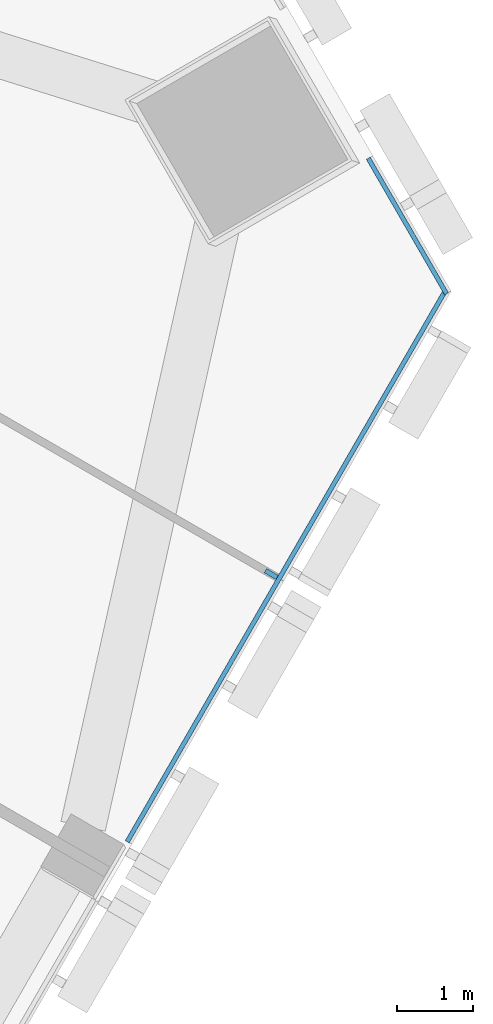
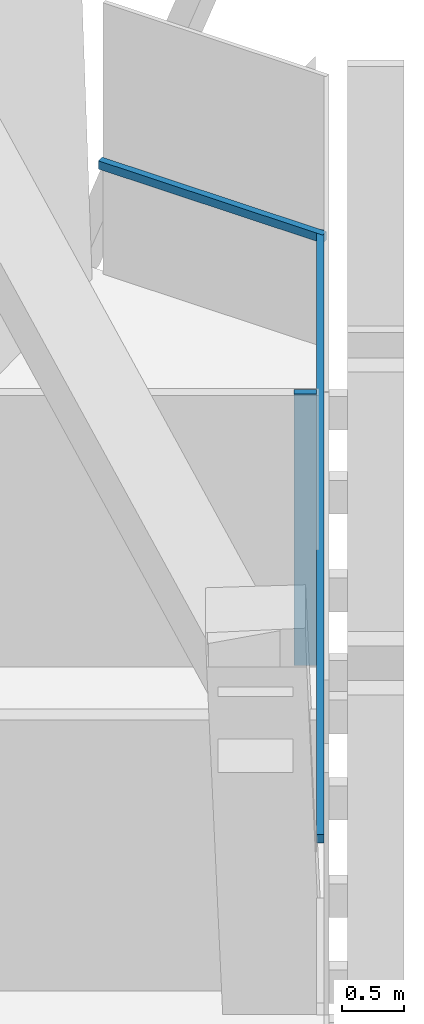
# One storey, part 7 of 16: 3 members, 2 elements without a shape of their own.
"""IFC4 building model written with IfcOpenShell, lengths in metres."""

from ifc_helpers import new_model, si_unit, direction, frame, origin, origin_2d, place, context, subcontext, project, spatial, rectangle, extrude, material, layer, layer_set, material_profile, profile_set, type_object, element, aggregate, save


model = new_model("IFC4")

# Units and contexts
model_context = context("Model", 3, precision=1e-05, world=origin(), true_north=direction((0.0, 1.0)))
body_context = subcontext(model_context, "Body", "Model", "MODEL_VIEW")
ifc_project = project(units=[si_unit("LENGTHUNIT", "METRE"), si_unit("AREAUNIT", "SQUARE_METRE"), si_unit("VOLUMEUNIT", "CUBIC_METRE"), si_unit("PLANEANGLEUNIT", "RADIAN"), si_unit("MASSUNIT", "GRAM", prefix="KILO")], contexts=[model_context])

# Site, building, storey
site_placement = place(None, origin())
site = spatial("IfcSite", under=ifc_project, at=site_placement, CompositionType="ELEMENT")
building_placement = place(site_placement, origin())
building = spatial("IfcBuilding", under=site, at=building_placement, Name="Altiplano Prism Tower", CompositionType="ELEMENT")
storey_placement = place(building_placement, frame((0.0, 0.0, 198.0)))
storey = spatial("IfcBuildingStorey", under=building, at=storey_placement, Name="L51", CompositionType="ELEMENT", Elevation=198.0)

# Curtain wall, members
ifc_material_1 = material(Name="Aluminium and glass", Category="aluminium")
ifc_layer = layer(ifc_material_1, 0.280029296875)
ifc_layer_set = layer_set([ifc_layer], Name="Aluminium and glass")
curtain_wall_type = type_object("IfcCurtainWallType", Name="CW1 typical co-living unitised curtain wall", PredefinedType="NOTDEFINED", material=ifc_layer_set)
curtain_wall_1_placement = place(storey_placement, origin())
curtain_wall_1 = element("IfcCurtainWall", 1, at=curtain_wall_1_placement, inside=storey, type_object=curtain_wall_type, Name="CW1 curtain wall south-east face L51", PredefinedType="NOTDEFINED")
ifc_material_2 = material(Name="Aluminium", Category="aluminium")
ifc_material_profile_1 = material_profile(ifc_material_2, rectangle(XDim=0.179931640625, YDim=0.06494140625, at=origin_2d()), Name="CW1 mullion 65 x 180")
ifc_profile_set_1 = profile_set([ifc_material_profile_1], Name="Aluminium")
member_type_1 = type_object("IfcMemberType", Name="CW1 mullion 65 x 180", PredefinedType="MULLION", material=ifc_profile_set_1)
member_1_placement = place(storey_placement, frame((108.222412109375, 95.764404296875, 0.0), z_axis=(0.0, 0.0, 1.0), x_axis=(-0.86602540909, 0.49999999081, 0.0)))
member_1 = element("IfcMember", 2, at=member_1_placement, type_object=member_type_1, Name="CW1 mullion", PredefinedType="MULLION", context=body_context, shape_type="SweptSolid", body=[
    extrude(rectangle(XDim=0.179931640625, YDim=0.06494140625, at=origin_2d()), origin(), (0.0, 0.0, 1.0), 2.64990234375),
])
ifc_material_profile_2 = material_profile(ifc_material_2, rectangle(XDim=0.06005859375, YDim=0.080078125, at=origin_2d()), Name="CW1 transom 80 x 60")
ifc_profile_set_2 = profile_set([ifc_material_profile_2], Name="Aluminium")
member_type_2 = type_object("IfcMemberType", Name="CW1 transom 80 x 60", PredefinedType="USERDEFINED", material=ifc_profile_set_2)
member_2_placement = place(storey_placement, frame((106.316162109375, 92.22265625, 1.10009765625), z_axis=(0.500007547564, 0.866021046153, 0.0), x_axis=(-0.866021046153, 0.500007547564, 0.0)))
member_2 = element("IfcMember", 3, at=member_2_placement, type_object=member_type_2, Name="CW1 transom", ObjectType="TRANSOM", PredefinedType="USERDEFINED", context=body_context, shape_type="SweptSolid", body=[
    extrude(rectangle(XDim=0.06005859375, YDim=0.080078125, at=origin_2d()), origin(), (0.0, 0.0, 1.0), 8.450439453125),
])
aggregate(curtain_wall_1, [member_1, member_2])

# Curtain wall, member
curtain_wall_2_placement = place(storey_placement, origin())
curtain_wall_2 = element("IfcCurtainWall", 4, at=curtain_wall_2_placement, inside=storey, type_object=curtain_wall_type, Name="CW1 curtain wall north-east chamfer L51", PredefinedType="NOTDEFINED")
member_3_placement = place(storey_placement, frame((110.54150390625, 99.470947265625, 1.10009765625), z_axis=(-0.500042020036, 0.866001142146, 0.0), x_axis=(-0.866001142146, -0.500042020036, 0.0)))
member_3 = element("IfcMember", 5, at=member_3_placement, type_object=member_type_2, Name="CW1 transom", ObjectType="TRANSOM", PredefinedType="USERDEFINED", context=body_context, shape_type="SweptSolid", body=[
    extrude(rectangle(XDim=0.06005859375, YDim=0.080078125, at=origin_2d()), origin(), (0.0, 0.0, 1.0), 2.072021484375),
])
aggregate(curtain_wall_2, [member_3])

save(model, "model.ifc")
